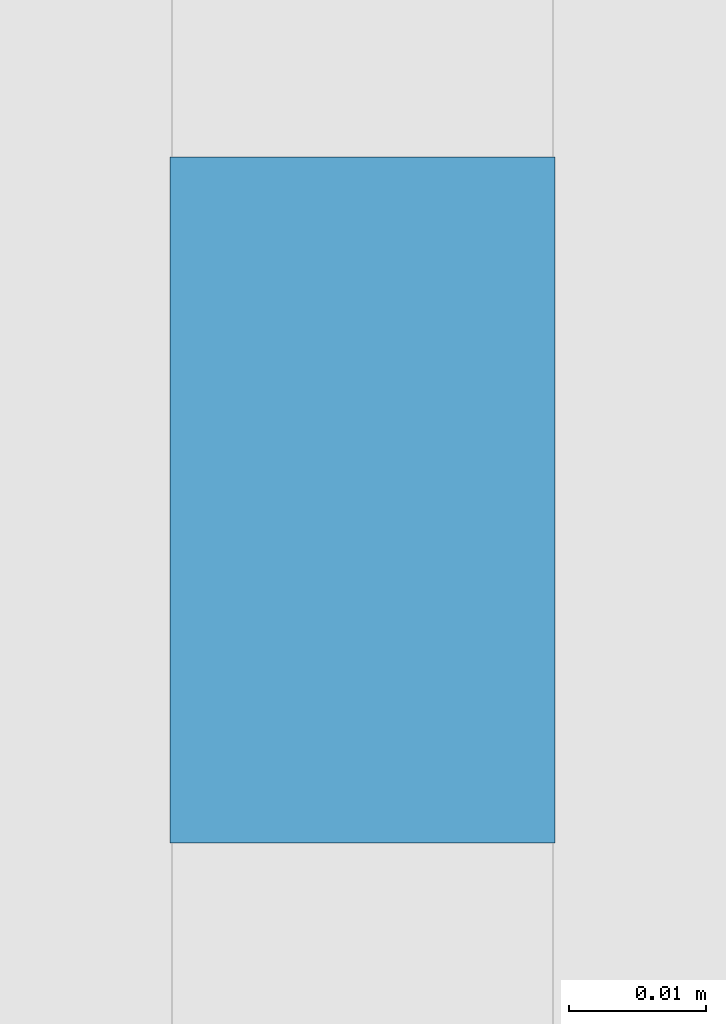
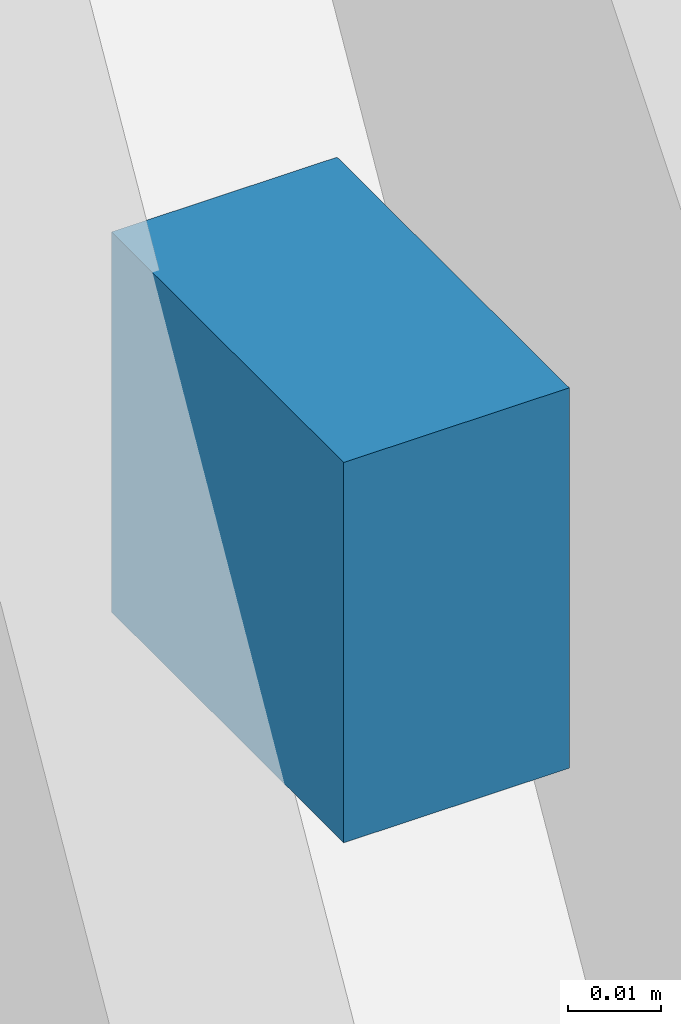
# One storey, part 12 of 15: 1 discrete accessory, 1 element without a shape of its own.
"""IFC4 building model written with IfcOpenShell, lengths in metres."""

from ifc_helpers import new_model, si_unit, direction, frame, origin, origin_2d, place, context, subcontext, project, spatial, rectangle, extrude, material, type_object, element, aggregate, save


model = new_model("IFC4")

# Units and contexts
model_context = context("Model", 3, precision=1e-05, world=origin(), true_north=direction((0.0, 1.0)))
body_context = subcontext(model_context, "Body", "Model", "MODEL_VIEW")
ifc_project = project(units=[si_unit("LENGTHUNIT", "METRE"), si_unit("AREAUNIT", "SQUARE_METRE"), si_unit("VOLUMEUNIT", "CUBIC_METRE"), si_unit("PLANEANGLEUNIT", "RADIAN"), si_unit("MASSUNIT", "GRAM", prefix="KILO")], contexts=[model_context])

# Site, building, storey
site_placement = place(None, origin())
site = spatial("IfcSite", under=ifc_project, at=site_placement, CompositionType="ELEMENT")
building_placement = place(site_placement, origin())
building = spatial("IfcBuilding", under=site, at=building_placement, Name="Tessera Arch", CompositionType="ELEMENT")
storey_placement = place(building_placement, frame((0.0, 0.0, 285.199951171875)))
storey = spatial("IfcBuildingStorey", under=building, at=storey_placement, Name="L69", CompositionType="ELEMENT", Elevation=285.199951171875)

# Curtain wall, discrete accessory
ifc_material = material(Name="CW3 curtain wall")
curtain_wall_type = type_object("IfcCurtainWallType", Name="CW3 curtain wall", PredefinedType="NOTDEFINED", material=ifc_material)
curtain_wall_placement = place(storey_placement, origin())
curtain_wall = element("IfcCurtainWall", 1, at=curtain_wall_placement, inside=storey, type_object=curtain_wall_type, Name="CW3 curtain wall W18.27/1 L69", PredefinedType="NOTDEFINED")
discrete_accessory_placement = place(storey_placement, frame((17.9560546875, 40.033203125, 0.794921875), z_axis=(0.0, 0.0, 1.0), x_axis=(0.0, -1.0, 0.0)))
discrete_accessory = element("IfcDiscreteAccessory", 2, at=discrete_accessory_placement, Name="Glazing bracket", PredefinedType="BRACKET", context=body_context, shape_type="SweptSolid", body=[
    extrude(rectangle(XDim=0.050048828125, YDim=0.028076171875, at=origin_2d()), origin(), (0.0, 0.0, 1.0), 0.050048828125),
])
aggregate(curtain_wall, [discrete_accessory])

save(model, "model.ifc")
